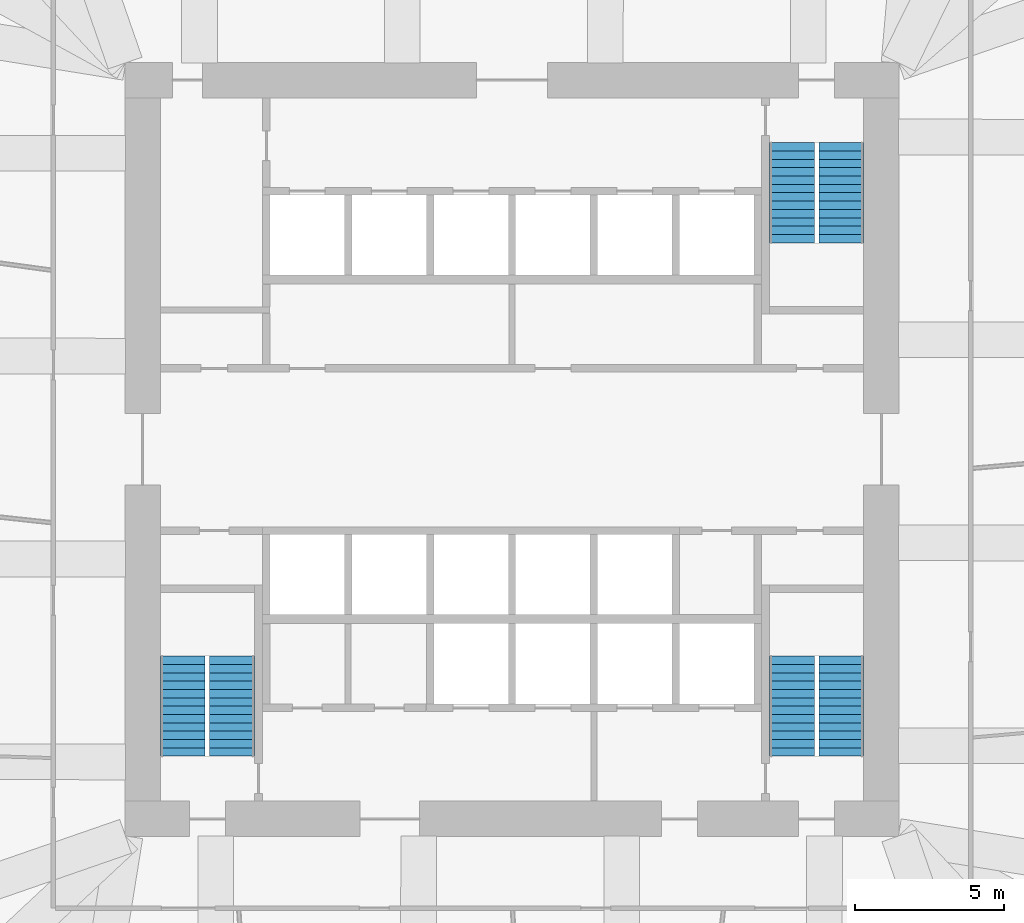
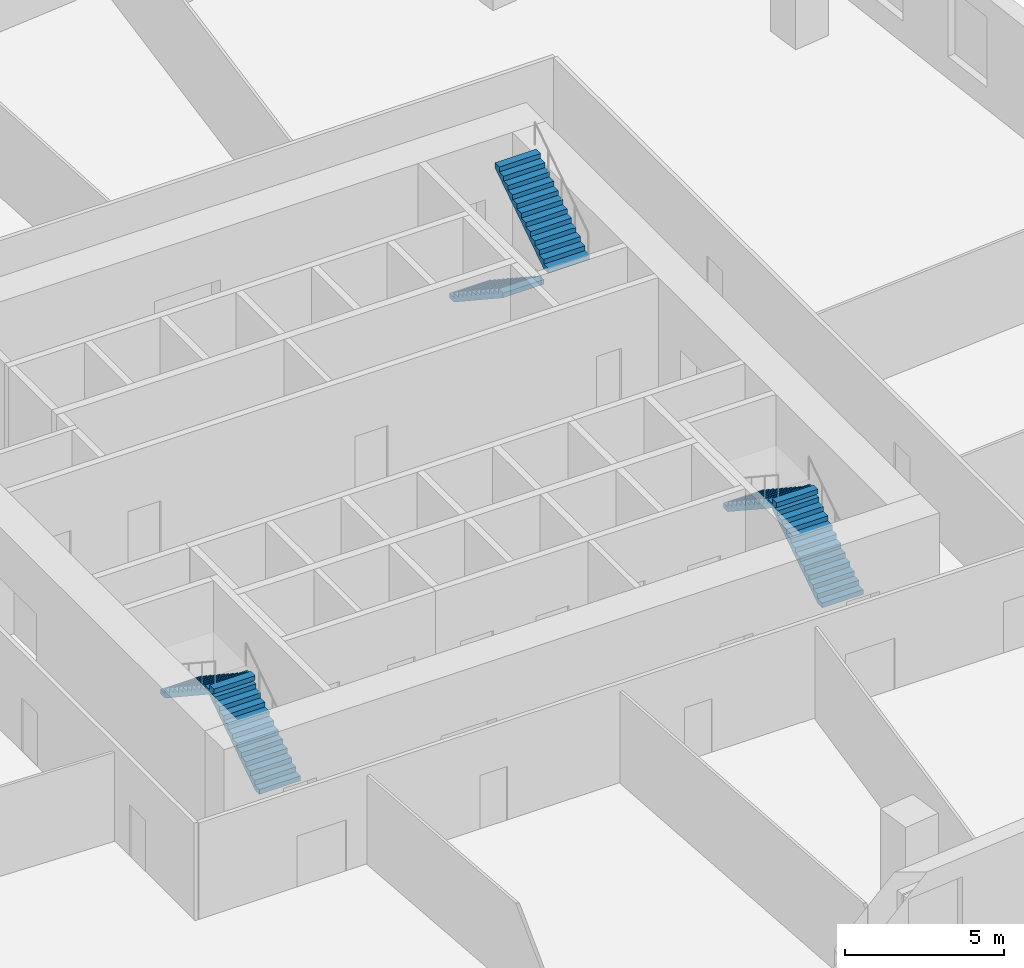
# One storey, part 8 of 10: 6 stair flights, 3 elements without a shape of their own.
"""IFC4 building model written with IfcOpenShell, lengths in metres."""

from ifc_helpers import new_model, si_unit, direction, frame, origin, place, context, subcontext, project, spatial, polyline, outline, extrude, material, type_object, element, aggregate, save


model = new_model("IFC4")

# Units and contexts
model_context = context("Model", 3, precision=1e-05, world=origin(), true_north=direction((0.0, 1.0)))
body_context = subcontext(model_context, "Body", "Model", "MODEL_VIEW")
ifc_project = project(units=[si_unit("LENGTHUNIT", "METRE"), si_unit("AREAUNIT", "SQUARE_METRE"), si_unit("VOLUMEUNIT", "CUBIC_METRE"), si_unit("PLANEANGLEUNIT", "RADIAN"), si_unit("MASSUNIT", "GRAM", prefix="KILO")], contexts=[model_context])

# Site, building, storey
site_placement = place(None, origin())
site = spatial("IfcSite", under=ifc_project, at=site_placement, CompositionType="ELEMENT")
building_placement = place(site_placement, origin())
building = spatial("IfcBuilding", under=site, at=building_placement, Name="Dilmun Exchange Tower", CompositionType="ELEMENT")
storey_placement = place(building_placement, frame((0.0, 0.0, 41.699951171875)))
storey = spatial("IfcBuildingStorey", under=building, at=storey_placement, Name="L09", CompositionType="ELEMENT", Elevation=41.699951171875)

# Stair, stair flights
ifc_material = material(Name="Concrete C40/50", Category="concrete")
stair_type = type_object("IfcStairType", Name="Exit stair 1500 half-turn", PredefinedType="HALF_TURN_STAIR", material=ifc_material)
stair_1_placement = place(storey_placement, origin())
stair_1 = element("IfcStair", 1, at=stair_1_placement, inside=storey, type_object=stair_type, Name="L09 Protected exit stair ST1", PredefinedType="HALF_TURN_STAIR")
stair_flight_type = type_object("IfcStairFlightType", Name="Exit stair flight 1500", PredefinedType="STRAIGHT", material=ifc_material)
stair_flight_1_placement = place(storey_placement, frame((9.39990234375, 10.300048828125, 0.0), z_axis=(0.0, 0.0, 1.0), x_axis=(0.0, -1.0, 0.0)))
stair_flight_1 = element("IfcStairFlight", 2, at=stair_flight_1_placement, type_object=stair_flight_type, Name="ST1 flight 1", NumberOfRisers=13, NumberOfTreads=12, PredefinedType="STRAIGHT", RiserHeight=0.184615385, TreadLength=0.28, context=body_context, shape_type="SweptSolid", body=[
    extrude(outline(polyline([(0.0, 0.0), (0.0, 0.1845703125), (0.280029296875, 0.1845703125), (0.280029296875, 0.369140625), (0.56005859375, 0.369140625), (0.56005859375, 0.553955078125), (0.840087890625, 0.553955078125), (0.840087890625, 0.738525390625), (1.1201171875, 0.738525390625), (1.1201171875, 0.923095703125), (1.39990234375, 0.923095703125), (1.39990234375, 1.107666015625), (1.679931640625, 1.107666015625), (1.679931640625, 1.292236328125), (1.9599609375, 1.292236328125), (1.9599609375, 1.476806640625), (2.239990234375, 1.476806640625), (2.239990234375, 1.66162109375), (2.52001953125, 1.66162109375), (2.52001953125, 1.84619140625), (2.800048828125, 1.84619140625), (2.800048828125, 2.03076171875), (3.080078125, 2.03076171875), (3.080078125, 2.21533203125), (3.360107421875, 2.21533203125), (3.360107421875, 2.39990234375), (3.360107421875, 2.035888671875), (0.272216796875, 0.0), (0.0, 0.0)])), frame((0.0, 0.75, 0.0), z_axis=(0.0, -1.0, 0.0), x_axis=(1.0, 0.0, 0.0)), (0.0, 0.0, 1.0), 1.5),
])
stair_flight_2_placement = place(storey_placement, frame((11.050048828125, 6.93994140625, 2.400146484375), z_axis=(0.0, 0.0, 1.0), x_axis=(0.0, 1.0, 0.0)))
stair_flight_2 = element("IfcStairFlight", 3, at=stair_flight_2_placement, type_object=stair_flight_type, Name="ST1 flight 2", NumberOfRisers=13, NumberOfTreads=12, PredefinedType="STRAIGHT", RiserHeight=0.184615385, TreadLength=0.28, context=body_context, shape_type="SweptSolid", body=[
    extrude(outline(polyline([(0.0, 0.0), (0.0, 0.1845703125), (0.280029296875, 0.1845703125), (0.280029296875, 0.369140625), (0.56005859375, 0.369140625), (0.56005859375, 0.553955078125), (0.840087890625, 0.553955078125), (0.840087890625, 0.738525390625), (1.1201171875, 0.738525390625), (1.1201171875, 0.923095703125), (1.39990234375, 0.923095703125), (1.39990234375, 1.107666015625), (1.679931640625, 1.107666015625), (1.679931640625, 1.292236328125), (1.9599609375, 1.292236328125), (1.9599609375, 1.476806640625), (2.239990234375, 1.476806640625), (2.239990234375, 1.66162109375), (2.52001953125, 1.66162109375), (2.52001953125, 1.84619140625), (2.800048828125, 1.84619140625), (2.800048828125, 2.03076171875), (3.080078125, 2.03076171875), (3.080078125, 2.21533203125), (3.360107421875, 2.21533203125), (3.360107421875, 2.39990234375), (3.360107421875, 2.035888671875), (0.272216796875, 0.0), (0.0, 0.0)])), frame((0.0, 0.75, 0.0), z_axis=(0.0, -1.0, 0.0), x_axis=(1.0, 0.0, 0.0)), (0.0, 0.0, 1.0), 1.5),
])
aggregate(stair_1, [stair_flight_1, stair_flight_2])

stair_2_placement = place(storey_placement, origin())
stair_2 = element("IfcStair", 4, at=stair_2_placement, inside=storey, type_object=stair_type, Name="L09 Protected exit stair ST2", PredefinedType="HALF_TURN_STAIR")
stair_flight_3_placement = place(storey_placement, frame((-9.39990234375, -10.300048828125, 0.0), z_axis=(0.0, 0.0, 1.0), x_axis=(0.0, 1.0, 0.0)))
stair_flight_3 = element("IfcStairFlight", 5, at=stair_flight_3_placement, type_object=stair_flight_type, Name="ST2 flight 1", NumberOfRisers=13, NumberOfTreads=12, PredefinedType="STRAIGHT", RiserHeight=0.184615385, TreadLength=0.28, context=body_context, shape_type="SweptSolid", body=[
    extrude(outline(polyline([(0.0, 0.0), (0.0, 0.1845703125), (0.280029296875, 0.1845703125), (0.280029296875, 0.369140625), (0.56005859375, 0.369140625), (0.56005859375, 0.553955078125), (0.840087890625, 0.553955078125), (0.840087890625, 0.738525390625), (1.1201171875, 0.738525390625), (1.1201171875, 0.923095703125), (1.39990234375, 0.923095703125), (1.39990234375, 1.107666015625), (1.679931640625, 1.107666015625), (1.679931640625, 1.292236328125), (1.9599609375, 1.292236328125), (1.9599609375, 1.476806640625), (2.239990234375, 1.476806640625), (2.239990234375, 1.66162109375), (2.52001953125, 1.66162109375), (2.52001953125, 1.84619140625), (2.800048828125, 1.84619140625), (2.800048828125, 2.03076171875), (3.080078125, 2.03076171875), (3.080078125, 2.21533203125), (3.360107421875, 2.21533203125), (3.360107421875, 2.39990234375), (3.360107421875, 2.035888671875), (0.272216796875, 0.0), (0.0, 0.0)])), frame((0.0, 0.75, 0.0), z_axis=(0.0, -1.0, 0.0), x_axis=(1.0, 0.0, 0.0)), (0.0, 0.0, 1.0), 1.5),
])
stair_flight_4_placement = place(storey_placement, frame((-11.050048828125, -6.93994140625, 2.400146484375), z_axis=(0.0, 0.0, 1.0), x_axis=(0.0, -1.0, 0.0)))
stair_flight_4 = element("IfcStairFlight", 6, at=stair_flight_4_placement, type_object=stair_flight_type, Name="ST2 flight 2", NumberOfRisers=13, NumberOfTreads=12, PredefinedType="STRAIGHT", RiserHeight=0.184615385, TreadLength=0.28, context=body_context, shape_type="SweptSolid", body=[
    extrude(outline(polyline([(0.0, 0.0), (0.0, 0.1845703125), (0.280029296875, 0.1845703125), (0.280029296875, 0.369140625), (0.56005859375, 0.369140625), (0.56005859375, 0.553955078125), (0.840087890625, 0.553955078125), (0.840087890625, 0.738525390625), (1.1201171875, 0.738525390625), (1.1201171875, 0.923095703125), (1.39990234375, 0.923095703125), (1.39990234375, 1.107666015625), (1.679931640625, 1.107666015625), (1.679931640625, 1.292236328125), (1.9599609375, 1.292236328125), (1.9599609375, 1.476806640625), (2.239990234375, 1.476806640625), (2.239990234375, 1.66162109375), (2.52001953125, 1.66162109375), (2.52001953125, 1.84619140625), (2.800048828125, 1.84619140625), (2.800048828125, 2.03076171875), (3.080078125, 2.03076171875), (3.080078125, 2.21533203125), (3.360107421875, 2.21533203125), (3.360107421875, 2.39990234375), (3.360107421875, 2.035888671875), (0.272216796875, 0.0), (0.0, 0.0)])), frame((0.0, 0.75, 0.0), z_axis=(0.0, -1.0, 0.0), x_axis=(1.0, 0.0, 0.0)), (0.0, 0.0, 1.0), 1.5),
])
aggregate(stair_2, [stair_flight_3, stair_flight_4])

stair_3_placement = place(storey_placement, origin())
stair_3 = element("IfcStair", 7, at=stair_3_placement, inside=storey, type_object=stair_type, Name="L09 Protected exit stair ST3", PredefinedType="HALF_TURN_STAIR")
stair_flight_5_placement = place(storey_placement, frame((11.050048828125, -10.300048828125, 0.0), z_axis=(0.0, 0.0, 1.0), x_axis=(0.0, 1.0, 0.0)))
stair_flight_5 = element("IfcStairFlight", 8, at=stair_flight_5_placement, type_object=stair_flight_type, Name="ST3 flight 1", NumberOfRisers=13, NumberOfTreads=12, PredefinedType="STRAIGHT", RiserHeight=0.184615385, TreadLength=0.28, context=body_context, shape_type="SweptSolid", body=[
    extrude(outline(polyline([(0.0, 0.0), (0.0, 0.1845703125), (0.280029296875, 0.1845703125), (0.280029296875, 0.369140625), (0.56005859375, 0.369140625), (0.56005859375, 0.553955078125), (0.840087890625, 0.553955078125), (0.840087890625, 0.738525390625), (1.1201171875, 0.738525390625), (1.1201171875, 0.923095703125), (1.39990234375, 0.923095703125), (1.39990234375, 1.107666015625), (1.679931640625, 1.107666015625), (1.679931640625, 1.292236328125), (1.9599609375, 1.292236328125), (1.9599609375, 1.476806640625), (2.239990234375, 1.476806640625), (2.239990234375, 1.66162109375), (2.52001953125, 1.66162109375), (2.52001953125, 1.84619140625), (2.800048828125, 1.84619140625), (2.800048828125, 2.03076171875), (3.080078125, 2.03076171875), (3.080078125, 2.21533203125), (3.360107421875, 2.21533203125), (3.360107421875, 2.39990234375), (3.360107421875, 2.035888671875), (0.272216796875, 0.0), (0.0, 0.0)])), frame((0.0, 0.75, 0.0), z_axis=(0.0, -1.0, 0.0), x_axis=(1.0, 0.0, 0.0)), (0.0, 0.0, 1.0), 1.5),
])
stair_flight_6_placement = place(storey_placement, frame((9.39990234375, -6.93994140625, 2.400146484375), z_axis=(0.0, 0.0, 1.0), x_axis=(0.0, -1.0, 0.0)))
stair_flight_6 = element("IfcStairFlight", 9, at=stair_flight_6_placement, type_object=stair_flight_type, Name="ST3 flight 2", NumberOfRisers=13, NumberOfTreads=12, PredefinedType="STRAIGHT", RiserHeight=0.184615385, TreadLength=0.28, context=body_context, shape_type="SweptSolid", body=[
    extrude(outline(polyline([(0.0, 0.0), (0.0, 0.1845703125), (0.280029296875, 0.1845703125), (0.280029296875, 0.369140625), (0.56005859375, 0.369140625), (0.56005859375, 0.553955078125), (0.840087890625, 0.553955078125), (0.840087890625, 0.738525390625), (1.1201171875, 0.738525390625), (1.1201171875, 0.923095703125), (1.39990234375, 0.923095703125), (1.39990234375, 1.107666015625), (1.679931640625, 1.107666015625), (1.679931640625, 1.292236328125), (1.9599609375, 1.292236328125), (1.9599609375, 1.476806640625), (2.239990234375, 1.476806640625), (2.239990234375, 1.66162109375), (2.52001953125, 1.66162109375), (2.52001953125, 1.84619140625), (2.800048828125, 1.84619140625), (2.800048828125, 2.03076171875), (3.080078125, 2.03076171875), (3.080078125, 2.21533203125), (3.360107421875, 2.21533203125), (3.360107421875, 2.39990234375), (3.360107421875, 2.035888671875), (0.272216796875, 0.0), (0.0, 0.0)])), frame((0.0, 0.75, 0.0), z_axis=(0.0, -1.0, 0.0), x_axis=(1.0, 0.0, 0.0)), (0.0, 0.0, 1.0), 1.5),
])
aggregate(stair_3, [stair_flight_5, stair_flight_6])

save(model, "model.ifc")
